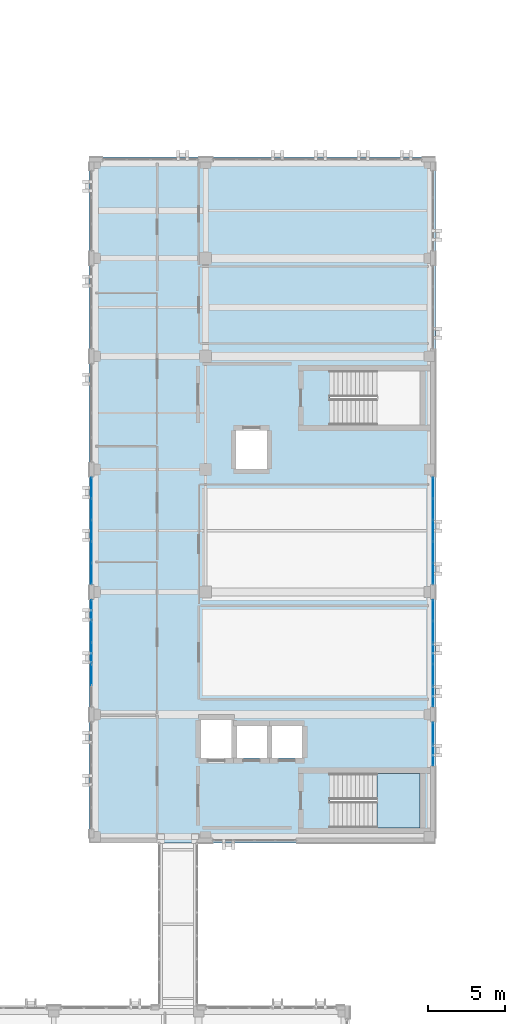
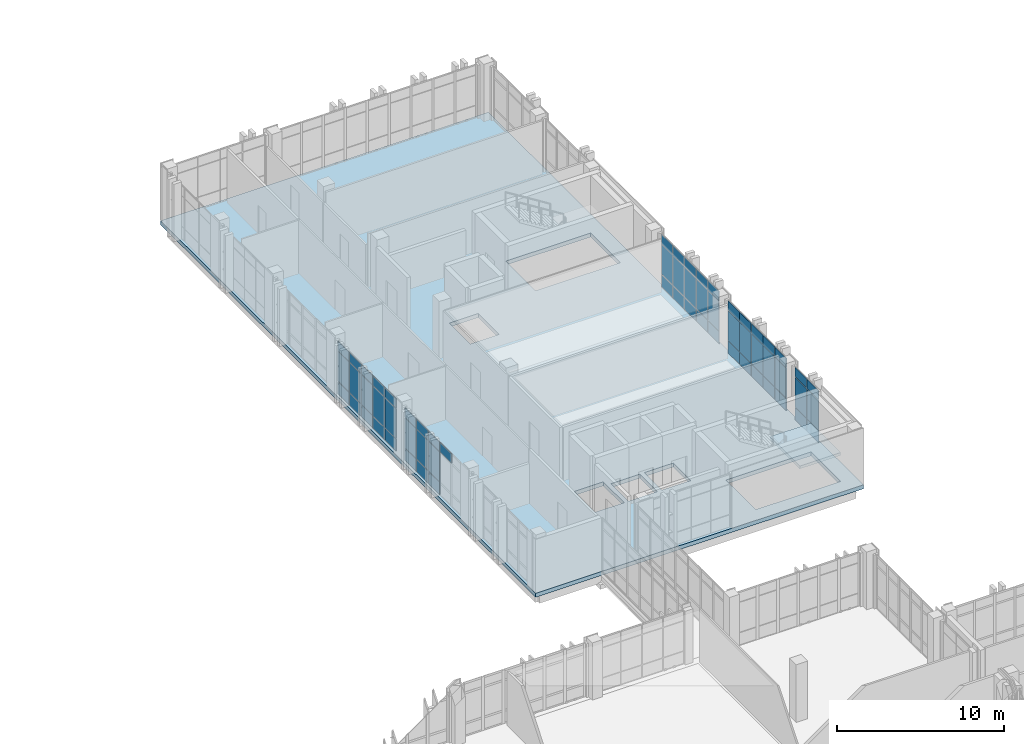
# One storey, part 141 of 193: 61 plates, 2 slabs, 6 elements without a shape of their own.
"""IFC4 building model written with IfcOpenShell, lengths in metres."""

from ifc_helpers import new_model, si_unit, direction, frame, origin, origin_2d, place, context, subcontext, project, spatial, polyline, rectangle, outline, extrude, material, layer, layer_set, type_object, element, aggregate, save


model = new_model("IFC4")

# Units and contexts
model_context = context("Model", 3, precision=1e-05, world=origin(), true_north=direction((0.0, 1.0)))
body_context = subcontext(model_context, "Body", "Model", "MODEL_VIEW")
ifc_project = project(units=[si_unit("LENGTHUNIT", "METRE"), si_unit("AREAUNIT", "SQUARE_METRE"), si_unit("VOLUMEUNIT", "CUBIC_METRE"), si_unit("PLANEANGLEUNIT", "RADIAN"), si_unit("MASSUNIT", "GRAM", prefix="KILO")], contexts=[model_context])

# Site, building, storey
site_placement = place(None, origin())
site = spatial("IfcSite", under=ifc_project, at=site_placement, CompositionType="ELEMENT")
building_placement = place(site_placement, origin())
building = spatial("IfcBuilding", under=site, at=building_placement, Name="Qalavern Law Courts", CompositionType="ELEMENT")
storey_placement = place(building_placement, frame((0.0, 0.0, 10.199951171875)))
storey = spatial("IfcBuildingStorey", under=building, at=storey_placement, Name="L02", CompositionType="ELEMENT", Elevation=10.199951171875)

# Curtain wall, plates
ifc_material_1 = material(Name="Anodised aluminium and insulated glazing", Category="aluminium")
ifc_layer_1 = layer(ifc_material_1, 0.172119140625)
ifc_layer_set_1 = layer_set([ifc_layer_1], Name="Anodised aluminium and insulated glazing")
curtain_wall_type = type_object("IfcCurtainWallType", Name="ENV-CW-COURT", PredefinedType="USERDEFINED", material=ifc_layer_set_1)
curtain_wall_1_placement = place(storey_placement, origin())
curtain_wall_1 = element("IfcCurtainWall", 1, at=curtain_wall_1_placement, inside=storey, type_object=curtain_wall_type, Name="V4 unitised curtain wall L02 east 3", ObjectType="UNITISED CURTAIN WALL", PredefinedType="USERDEFINED")
ifc_material_2 = material(Name="Insulated low-E acoustic glazing", Category="glass")
ifc_layer_2 = layer(ifc_material_2, 0.02392578125)
ifc_layer_set_2 = layer_set([ifc_layer_2], Name="Insulated low-E acoustic glazing")
plate_type_1 = type_object("IfcPlateType", Name="ENV-CWP-24", PredefinedType="CURTAIN_PANEL", material=ifc_layer_set_2)
plate_1_placement = place(storey_placement, frame((106.64501953125, 58.612060546875, 0.048095703125), z_axis=(0.0, 0.0, 1.0), x_axis=(0.0, 1.0, 0.0)))
plate_1 = element("IfcPlate", 2, at=plate_1_placement, type_object=plate_type_1, Name="CW-03 panel 1.1", PredefinedType="CURTAIN_PANEL", context=body_context, shape_type="SweptSolid", body=[
    extrude(rectangle(XDim=1.327880859375, YDim=0.02392578125, at=origin_2d()), origin(), (0.0, 0.0, 1.0), 0.8779296875),
])
plate_2_placement = place(storey_placement, frame((106.64501953125, 58.612060546875, 0.97412109375), z_axis=(0.0, 0.0, 1.0), x_axis=(0.0, 1.0, 0.0)))
plate_2 = element("IfcPlate", 3, at=plate_2_placement, type_object=plate_type_1, Name="CW-03 panel 1.2", PredefinedType="CURTAIN_PANEL", context=body_context, shape_type="SweptSolid", body=[
    extrude(rectangle(XDim=1.327880859375, YDim=0.02392578125, at=origin_2d()), origin(), (0.0, 0.0, 1.0), 2.1669921875),
])
plate_3_placement = place(storey_placement, frame((106.64501953125, 58.612060546875, 3.18896484375), z_axis=(0.0, 0.0, 1.0), x_axis=(0.0, 1.0, 0.0)))
plate_3 = element("IfcPlate", 4, at=plate_3_placement, type_object=plate_type_1, Name="CW-03 panel 1.3", PredefinedType="CURTAIN_PANEL", context=body_context, shape_type="SweptSolid", body=[
    extrude(rectangle(XDim=1.327880859375, YDim=0.02392578125, at=origin_2d()), origin(), (0.0, 0.0, 1.0), 0.677978515625),
])
plate_4_placement = place(storey_placement, frame((106.64501953125, 60.0, 0.048095703125), z_axis=(0.0, 0.0, 1.0), x_axis=(0.0, 1.0, 0.0)))
plate_4 = element("IfcPlate", 5, at=plate_4_placement, type_object=plate_type_1, Name="CW-03 panel 2.1", PredefinedType="CURTAIN_PANEL", context=body_context, shape_type="SweptSolid", body=[
    extrude(rectangle(XDim=1.35205078125, YDim=0.02392578125, at=origin_2d()), origin(), (0.0, 0.0, 1.0), 0.8779296875),
])
plate_5_placement = place(storey_placement, frame((106.64501953125, 60.0, 0.97412109375), z_axis=(0.0, 0.0, 1.0), x_axis=(0.0, 1.0, 0.0)))
plate_5 = element("IfcPlate", 6, at=plate_5_placement, type_object=plate_type_1, Name="CW-03 panel 2.2", PredefinedType="CURTAIN_PANEL", context=body_context, shape_type="SweptSolid", body=[
    extrude(rectangle(XDim=1.35205078125, YDim=0.02392578125, at=origin_2d()), origin(), (0.0, 0.0, 1.0), 2.1669921875),
])
plate_6_placement = place(storey_placement, frame((106.64501953125, 60.0, 3.18896484375), z_axis=(0.0, 0.0, 1.0), x_axis=(0.0, 1.0, 0.0)))
plate_6 = element("IfcPlate", 7, at=plate_6_placement, type_object=plate_type_1, Name="CW-03 panel 2.3", PredefinedType="CURTAIN_PANEL", context=body_context, shape_type="SweptSolid", body=[
    extrude(rectangle(XDim=1.35205078125, YDim=0.02392578125, at=origin_2d()), origin(), (0.0, 0.0, 1.0), 0.677978515625),
])
plate_7_placement = place(storey_placement, frame((106.64501953125, 61.39990234375, 0.048095703125), z_axis=(0.0, 0.0, 1.0), x_axis=(0.0, 1.0, 0.0)))
plate_7 = element("IfcPlate", 8, at=plate_7_placement, type_object=plate_type_1, Name="CW-03 panel 3.1", PredefinedType="CURTAIN_PANEL", context=body_context, shape_type="SweptSolid", body=[
    extrude(rectangle(XDim=1.35205078125, YDim=0.02392578125, at=origin_2d()), origin(), (0.0, 0.0, 1.0), 0.8779296875),
])
plate_8_placement = place(storey_placement, frame((106.64501953125, 61.39990234375, 0.97412109375), z_axis=(0.0, 0.0, 1.0), x_axis=(0.0, 1.0, 0.0)))
plate_8 = element("IfcPlate", 9, at=plate_8_placement, type_object=plate_type_1, Name="CW-03 panel 3.2", PredefinedType="CURTAIN_PANEL", context=body_context, shape_type="SweptSolid", body=[
    extrude(rectangle(XDim=1.35205078125, YDim=0.02392578125, at=origin_2d()), origin(), (0.0, 0.0, 1.0), 2.1669921875),
])
plate_9_placement = place(storey_placement, frame((106.64501953125, 61.39990234375, 3.18896484375), z_axis=(0.0, 0.0, 1.0), x_axis=(0.0, 1.0, 0.0)))
plate_9 = element("IfcPlate", 10, at=plate_9_placement, type_object=plate_type_1, Name="CW-03 panel 3.3", PredefinedType="CURTAIN_PANEL", context=body_context, shape_type="SweptSolid", body=[
    extrude(rectangle(XDim=1.35205078125, YDim=0.02392578125, at=origin_2d()), origin(), (0.0, 0.0, 1.0), 0.677978515625),
])
plate_10_placement = place(storey_placement, frame((106.64501953125, 62.800048828125, 0.048095703125), z_axis=(0.0, 0.0, 1.0), x_axis=(0.0, 1.0, 0.0)))
plate_10 = element("IfcPlate", 11, at=plate_10_placement, type_object=plate_type_1, Name="CW-03 panel 4.1", PredefinedType="CURTAIN_PANEL", context=body_context, shape_type="SweptSolid", body=[
    extrude(rectangle(XDim=1.35205078125, YDim=0.02392578125, at=origin_2d()), origin(), (0.0, 0.0, 1.0), 0.8779296875),
])
plate_11_placement = place(storey_placement, frame((106.64501953125, 62.800048828125, 0.97412109375), z_axis=(0.0, 0.0, 1.0), x_axis=(0.0, 1.0, 0.0)))
plate_11 = element("IfcPlate", 12, at=plate_11_placement, type_object=plate_type_1, Name="CW-03 panel 4.2", PredefinedType="CURTAIN_PANEL", context=body_context, shape_type="SweptSolid", body=[
    extrude(rectangle(XDim=1.35205078125, YDim=0.02392578125, at=origin_2d()), origin(), (0.0, 0.0, 1.0), 2.1669921875),
])
plate_12_placement = place(storey_placement, frame((106.64501953125, 62.800048828125, 3.18896484375), z_axis=(0.0, 0.0, 1.0), x_axis=(0.0, 1.0, 0.0)))
plate_12 = element("IfcPlate", 13, at=plate_12_placement, type_object=plate_type_1, Name="CW-03 panel 4.3", PredefinedType="CURTAIN_PANEL", context=body_context, shape_type="SweptSolid", body=[
    extrude(rectangle(XDim=1.35205078125, YDim=0.02392578125, at=origin_2d()), origin(), (0.0, 0.0, 1.0), 0.677978515625),
])
plate_13_placement = place(storey_placement, frame((106.64501953125, 64.18798828125, 0.048095703125), z_axis=(0.0, 0.0, 1.0), x_axis=(0.0, 1.0, 0.0)))
plate_13 = element("IfcPlate", 14, at=plate_13_placement, type_object=plate_type_1, Name="CW-03 panel 5.1", PredefinedType="CURTAIN_PANEL", context=body_context, shape_type="SweptSolid", body=[
    extrude(rectangle(XDim=1.327880859375, YDim=0.02392578125, at=origin_2d()), origin(), (0.0, 0.0, 1.0), 0.8779296875),
])
plate_14_placement = place(storey_placement, frame((106.64501953125, 64.18798828125, 0.97412109375), z_axis=(0.0, 0.0, 1.0), x_axis=(0.0, 1.0, 0.0)))
plate_14 = element("IfcPlate", 15, at=plate_14_placement, type_object=plate_type_1, Name="CW-03 panel 5.2", PredefinedType="CURTAIN_PANEL", context=body_context, shape_type="SweptSolid", body=[
    extrude(rectangle(XDim=1.327880859375, YDim=0.02392578125, at=origin_2d()), origin(), (0.0, 0.0, 1.0), 2.1669921875),
])
plate_15_placement = place(storey_placement, frame((106.64501953125, 64.18798828125, 3.18896484375), z_axis=(0.0, 0.0, 1.0), x_axis=(0.0, 1.0, 0.0)))
plate_15 = element("IfcPlate", 16, at=plate_15_placement, type_object=plate_type_1, Name="CW-03 panel 5.3", PredefinedType="CURTAIN_PANEL", context=body_context, shape_type="SweptSolid", body=[
    extrude(rectangle(XDim=1.327880859375, YDim=0.02392578125, at=origin_2d()), origin(), (0.0, 0.0, 1.0), 0.677978515625),
])
aggregate(curtain_wall_1, [plate_1, plate_2, plate_3, plate_4, plate_5, plate_6, plate_7, plate_8, plate_9, plate_10, plate_11, plate_12, plate_13, plate_14, plate_15])

curtain_wall_2_placement = place(storey_placement, origin())
curtain_wall_2 = element("IfcCurtainWall", 17, at=curtain_wall_2_placement, inside=storey, type_object=curtain_wall_type, Name="V4 unitised curtain wall L02 west 4", ObjectType="UNITISED CURTAIN WALL", PredefinedType="USERDEFINED")
ifc_layer_3 = layer(ifc_material_2, 0.028076171875)
ifc_layer_set_3 = layer_set([ifc_layer_3], Name="Insulated low-E acoustic glazing")
plate_type_2 = type_object("IfcPlateType", Name="ENV-CWP-28", PredefinedType="CURTAIN_PANEL", material=ifc_layer_set_3)
plate_16_placement = place(storey_placement, frame((84.35498046875, 64.18798828125, 0.048095703125), z_axis=(0.0, 0.0, 1.0), x_axis=(0.0, -1.0, 0.0)))
plate_16 = element("IfcPlate", 18, at=plate_16_placement, type_object=plate_type_2, Name="CW-03 panel 1.1", PredefinedType="CURTAIN_PANEL", context=body_context, shape_type="SweptSolid", body=[
    extrude(rectangle(XDim=1.327880859375, YDim=0.028076171875, at=origin_2d()), origin(), (0.0, 0.0, 1.0), 0.8779296875),
])
plate_17_placement = place(storey_placement, frame((84.35498046875, 64.18798828125, 0.97412109375), z_axis=(0.0, 0.0, 1.0), x_axis=(0.0, -1.0, 0.0)))
plate_17 = element("IfcPlate", 19, at=plate_17_placement, type_object=plate_type_2, Name="CW-03 panel 1.2", PredefinedType="CURTAIN_PANEL", context=body_context, shape_type="SweptSolid", body=[
    extrude(rectangle(XDim=1.327880859375, YDim=0.028076171875, at=origin_2d()), origin(), (0.0, 0.0, 1.0), 2.1669921875),
])
plate_18_placement = place(storey_placement, frame((84.35498046875, 64.18798828125, 3.18896484375), z_axis=(0.0, 0.0, 1.0), x_axis=(0.0, -1.0, 0.0)))
plate_18 = element("IfcPlate", 20, at=plate_18_placement, type_object=plate_type_2, Name="CW-03 panel 1.3", PredefinedType="CURTAIN_PANEL", context=body_context, shape_type="SweptSolid", body=[
    extrude(rectangle(XDim=1.327880859375, YDim=0.028076171875, at=origin_2d()), origin(), (0.0, 0.0, 1.0), 0.677978515625),
])
plate_19_placement = place(storey_placement, frame((84.35498046875, 62.800048828125, 0.048095703125), z_axis=(0.0, 0.0, 1.0), x_axis=(0.0, -1.0, 0.0)))
plate_19 = element("IfcPlate", 21, at=plate_19_placement, type_object=plate_type_2, Name="CW-03 panel 2.1", PredefinedType="CURTAIN_PANEL", context=body_context, shape_type="SweptSolid", body=[
    extrude(rectangle(XDim=1.35205078125, YDim=0.028076171875, at=origin_2d()), origin(), (0.0, 0.0, 1.0), 0.8779296875),
])
plate_20_placement = place(storey_placement, frame((84.35498046875, 62.800048828125, 0.97412109375), z_axis=(0.0, 0.0, 1.0), x_axis=(0.0, -1.0, 0.0)))
plate_20 = element("IfcPlate", 22, at=plate_20_placement, type_object=plate_type_2, Name="CW-03 panel 2.2", PredefinedType="CURTAIN_PANEL", context=body_context, shape_type="SweptSolid", body=[
    extrude(rectangle(XDim=1.35205078125, YDim=0.028076171875, at=origin_2d()), origin(), (0.0, 0.0, 1.0), 2.1669921875),
])
plate_21_placement = place(storey_placement, frame((84.35498046875, 62.800048828125, 3.18896484375), z_axis=(0.0, 0.0, 1.0), x_axis=(0.0, -1.0, 0.0)))
plate_21 = element("IfcPlate", 23, at=plate_21_placement, type_object=plate_type_2, Name="CW-03 panel 2.3", PredefinedType="CURTAIN_PANEL", context=body_context, shape_type="SweptSolid", body=[
    extrude(rectangle(XDim=1.35205078125, YDim=0.028076171875, at=origin_2d()), origin(), (0.0, 0.0, 1.0), 0.677978515625),
])
plate_22_placement = place(storey_placement, frame((84.35498046875, 61.39990234375, 0.048095703125), z_axis=(0.0, 0.0, 1.0), x_axis=(0.0, -1.0, 0.0)))
plate_22 = element("IfcPlate", 24, at=plate_22_placement, type_object=plate_type_2, Name="CW-03 panel 3.1", PredefinedType="CURTAIN_PANEL", context=body_context, shape_type="SweptSolid", body=[
    extrude(rectangle(XDim=1.35205078125, YDim=0.028076171875, at=origin_2d()), origin(), (0.0, 0.0, 1.0), 0.8779296875),
])
plate_23_placement = place(storey_placement, frame((84.35498046875, 61.39990234375, 0.97412109375), z_axis=(0.0, 0.0, 1.0), x_axis=(0.0, -1.0, 0.0)))
plate_23 = element("IfcPlate", 25, at=plate_23_placement, type_object=plate_type_2, Name="CW-03 panel 3.2", PredefinedType="CURTAIN_PANEL", context=body_context, shape_type="SweptSolid", body=[
    extrude(rectangle(XDim=1.35205078125, YDim=0.028076171875, at=origin_2d()), origin(), (0.0, 0.0, 1.0), 2.1669921875),
])
plate_24_placement = place(storey_placement, frame((84.35498046875, 61.39990234375, 3.18896484375), z_axis=(0.0, 0.0, 1.0), x_axis=(0.0, -1.0, 0.0)))
plate_24 = element("IfcPlate", 26, at=plate_24_placement, type_object=plate_type_2, Name="CW-03 panel 3.3", PredefinedType="CURTAIN_PANEL", context=body_context, shape_type="SweptSolid", body=[
    extrude(rectangle(XDim=1.35205078125, YDim=0.028076171875, at=origin_2d()), origin(), (0.0, 0.0, 1.0), 0.677978515625),
])
plate_25_placement = place(storey_placement, frame((84.35498046875, 60.0, 0.048095703125), z_axis=(0.0, 0.0, 1.0), x_axis=(0.0, -1.0, 0.0)))
plate_25 = element("IfcPlate", 27, at=plate_25_placement, type_object=plate_type_2, Name="CW-03 panel 4.1", PredefinedType="CURTAIN_PANEL", context=body_context, shape_type="SweptSolid", body=[
    extrude(rectangle(XDim=1.35205078125, YDim=0.028076171875, at=origin_2d()), origin(), (0.0, 0.0, 1.0), 0.8779296875),
])
plate_26_placement = place(storey_placement, frame((84.35498046875, 60.0, 0.97412109375), z_axis=(0.0, 0.0, 1.0), x_axis=(0.0, -1.0, 0.0)))
plate_26 = element("IfcPlate", 28, at=plate_26_placement, type_object=plate_type_2, Name="CW-03 panel 4.2", PredefinedType="CURTAIN_PANEL", context=body_context, shape_type="SweptSolid", body=[
    extrude(rectangle(XDim=1.35205078125, YDim=0.028076171875, at=origin_2d()), origin(), (0.0, 0.0, 1.0), 2.1669921875),
])
plate_27_placement = place(storey_placement, frame((84.35498046875, 60.0, 3.18896484375), z_axis=(0.0, 0.0, 1.0), x_axis=(0.0, -1.0, 0.0)))
plate_27 = element("IfcPlate", 29, at=plate_27_placement, type_object=plate_type_2, Name="CW-03 panel 4.3", PredefinedType="CURTAIN_PANEL", context=body_context, shape_type="SweptSolid", body=[
    extrude(rectangle(XDim=1.35205078125, YDim=0.028076171875, at=origin_2d()), origin(), (0.0, 0.0, 1.0), 0.677978515625),
])
plate_28_placement = place(storey_placement, frame((84.35498046875, 58.612060546875, 0.048095703125), z_axis=(0.0, 0.0, 1.0), x_axis=(0.0, -1.0, 0.0)))
plate_28 = element("IfcPlate", 30, at=plate_28_placement, type_object=plate_type_2, Name="CW-03 panel 5.1", PredefinedType="CURTAIN_PANEL", context=body_context, shape_type="SweptSolid", body=[
    extrude(rectangle(XDim=1.327880859375, YDim=0.028076171875, at=origin_2d()), origin(), (0.0, 0.0, 1.0), 0.8779296875),
])
plate_29_placement = place(storey_placement, frame((84.35498046875, 58.612060546875, 0.97412109375), z_axis=(0.0, 0.0, 1.0), x_axis=(0.0, -1.0, 0.0)))
plate_29 = element("IfcPlate", 31, at=plate_29_placement, type_object=plate_type_2, Name="CW-03 panel 5.2", PredefinedType="CURTAIN_PANEL", context=body_context, shape_type="SweptSolid", body=[
    extrude(rectangle(XDim=1.327880859375, YDim=0.028076171875, at=origin_2d()), origin(), (0.0, 0.0, 1.0), 2.1669921875),
])
plate_30_placement = place(storey_placement, frame((84.35498046875, 58.612060546875, 3.18896484375), z_axis=(0.0, 0.0, 1.0), x_axis=(0.0, -1.0, 0.0)))
plate_30 = element("IfcPlate", 32, at=plate_30_placement, type_object=plate_type_2, Name="CW-03 panel 5.3", PredefinedType="CURTAIN_PANEL", context=body_context, shape_type="SweptSolid", body=[
    extrude(rectangle(XDim=1.327880859375, YDim=0.028076171875, at=origin_2d()), origin(), (0.0, 0.0, 1.0), 0.677978515625),
])
aggregate(curtain_wall_2, [plate_16, plate_17, plate_18, plate_19, plate_20, plate_21, plate_22, plate_23, plate_24, plate_25, plate_26, plate_27, plate_28, plate_29, plate_30])

curtain_wall_3_placement = place(storey_placement, origin())
curtain_wall_3 = element("IfcCurtainWall", 33, at=curtain_wall_3_placement, inside=storey, type_object=curtain_wall_type, Name="V4 unitised curtain wall L02 west 5", ObjectType="UNITISED CURTAIN WALL", PredefinedType="USERDEFINED")
ifc_layer_4 = layer(ifc_material_2, 0.031982421875)
ifc_layer_set_4 = layer_set([ifc_layer_4], Name="Insulated low-E acoustic glazing")
plate_type_3 = type_object("IfcPlateType", Name="ENV-CWP-32", PredefinedType="CURTAIN_PANEL", material=ifc_layer_set_4)
plate_31_placement = place(storey_placement, frame((84.35498046875, 56.18798828125, 0.048095703125), z_axis=(0.0, 0.0, 1.0), x_axis=(0.0, -1.0, 0.0)))
plate_31 = element("IfcPlate", 34, at=plate_31_placement, type_object=plate_type_3, Name="CW-03 panel 1.1", PredefinedType="CURTAIN_PANEL", context=body_context, shape_type="SweptSolid", body=[
    extrude(rectangle(XDim=1.327880859375, YDim=0.031982421875, at=origin_2d()), origin(), (0.0, 0.0, 1.0), 0.8779296875),
])
plate_32_placement = place(storey_placement, frame((84.35498046875, 56.18798828125, 0.97412109375), z_axis=(0.0, 0.0, 1.0), x_axis=(0.0, -1.0, 0.0)))
plate_32 = element("IfcPlate", 35, at=plate_32_placement, type_object=plate_type_3, Name="CW-03 panel 1.2", PredefinedType="CURTAIN_PANEL", context=body_context, shape_type="SweptSolid", body=[
    extrude(rectangle(XDim=1.327880859375, YDim=0.031982421875, at=origin_2d()), origin(), (0.0, 0.0, 1.0), 2.1669921875),
])
plate_33_placement = place(storey_placement, frame((84.35498046875, 56.18798828125, 3.18896484375), z_axis=(0.0, 0.0, 1.0), x_axis=(0.0, -1.0, 0.0)))
plate_33 = element("IfcPlate", 36, at=plate_33_placement, type_object=plate_type_3, Name="CW-03 panel 1.3", PredefinedType="CURTAIN_PANEL", context=body_context, shape_type="SweptSolid", body=[
    extrude(rectangle(XDim=1.327880859375, YDim=0.031982421875, at=origin_2d()), origin(), (0.0, 0.0, 1.0), 0.677978515625),
])
plate_34_placement = place(storey_placement, frame((84.35498046875, 54.800048828125, 0.048095703125), z_axis=(0.0, 0.0, 1.0), x_axis=(0.0, -1.0, 0.0)))
plate_34 = element("IfcPlate", 37, at=plate_34_placement, type_object=plate_type_3, Name="CW-03 panel 2.1", PredefinedType="CURTAIN_PANEL", context=body_context, shape_type="SweptSolid", body=[
    extrude(rectangle(XDim=1.35205078125, YDim=0.031982421875, at=origin_2d()), origin(), (0.0, 0.0, 1.0), 0.8779296875),
])
plate_35_placement = place(storey_placement, frame((84.35498046875, 54.800048828125, 0.97412109375), z_axis=(0.0, 0.0, 1.0), x_axis=(0.0, -1.0, 0.0)))
plate_35 = element("IfcPlate", 38, at=plate_35_placement, type_object=plate_type_3, Name="CW-03 panel 2.2", PredefinedType="CURTAIN_PANEL", context=body_context, shape_type="SweptSolid", body=[
    extrude(rectangle(XDim=1.35205078125, YDim=0.031982421875, at=origin_2d()), origin(), (0.0, 0.0, 1.0), 2.1669921875),
])
plate_36_placement = place(storey_placement, frame((84.35498046875, 54.800048828125, 3.18896484375), z_axis=(0.0, 0.0, 1.0), x_axis=(0.0, -1.0, 0.0)))
plate_36 = element("IfcPlate", 39, at=plate_36_placement, type_object=plate_type_3, Name="CW-03 panel 2.3", PredefinedType="CURTAIN_PANEL", context=body_context, shape_type="SweptSolid", body=[
    extrude(rectangle(XDim=1.35205078125, YDim=0.031982421875, at=origin_2d()), origin(), (0.0, 0.0, 1.0), 0.677978515625),
])
plate_37_placement = place(storey_placement, frame((84.35498046875, 53.39990234375, 0.048095703125), z_axis=(0.0, 0.0, 1.0), x_axis=(0.0, -1.0, 0.0)))
plate_37 = element("IfcPlate", 40, at=plate_37_placement, type_object=plate_type_3, Name="CW-03 panel 3.1", PredefinedType="CURTAIN_PANEL", context=body_context, shape_type="SweptSolid", body=[
    extrude(rectangle(XDim=1.35205078125, YDim=0.031982421875, at=origin_2d()), origin(), (0.0, 0.0, 1.0), 0.8779296875),
])
plate_38_placement = place(storey_placement, frame((84.35498046875, 53.39990234375, 0.97412109375), z_axis=(0.0, 0.0, 1.0), x_axis=(0.0, -1.0, 0.0)))
plate_38 = element("IfcPlate", 41, at=plate_38_placement, type_object=plate_type_3, Name="CW-03 panel 3.2", PredefinedType="CURTAIN_PANEL", context=body_context, shape_type="SweptSolid", body=[
    extrude(rectangle(XDim=1.35205078125, YDim=0.031982421875, at=origin_2d()), origin(), (0.0, 0.0, 1.0), 2.1669921875),
])
plate_39_placement = place(storey_placement, frame((84.35498046875, 53.39990234375, 3.18896484375), z_axis=(0.0, 0.0, 1.0), x_axis=(0.0, -1.0, 0.0)))
plate_39 = element("IfcPlate", 42, at=plate_39_placement, type_object=plate_type_3, Name="CW-03 panel 3.3", PredefinedType="CURTAIN_PANEL", context=body_context, shape_type="SweptSolid", body=[
    extrude(rectangle(XDim=1.35205078125, YDim=0.031982421875, at=origin_2d()), origin(), (0.0, 0.0, 1.0), 0.677978515625),
])
plate_40_placement = place(storey_placement, frame((84.35498046875, 52.0, 3.18896484375), z_axis=(0.0, 0.0, 1.0), x_axis=(0.0, -1.0, 0.0)))
plate_40 = element("IfcPlate", 43, at=plate_40_placement, type_object=plate_type_3, Name="CW-03 panel 4.3", PredefinedType="CURTAIN_PANEL", context=body_context, shape_type="SweptSolid", body=[
    extrude(rectangle(XDim=1.35205078125, YDim=0.031982421875, at=origin_2d()), origin(), (0.0, 0.0, 1.0), 0.677978515625),
])
aggregate(curtain_wall_3, [plate_31, plate_32, plate_33, plate_34, plate_35, plate_36, plate_37, plate_38, plate_39, plate_40])

curtain_wall_4_placement = place(storey_placement, origin())
curtain_wall_4 = element("IfcCurtainWall", 44, at=curtain_wall_4_placement, inside=storey, type_object=curtain_wall_type, Name="V4 unitised curtain wall L02 east 1", ObjectType="UNITISED CURTAIN WALL", PredefinedType="USERDEFINED")
ifc_layer_5 = layer(ifc_material_2, 0.048095703125)
ifc_layer_set_5 = layer_set([ifc_layer_5], Name="Insulated low-E acoustic glazing")
plate_type_4 = type_object("IfcPlateType", Name="ENV-CWP-48", PredefinedType="CURTAIN_PANEL", material=ifc_layer_set_5)
plate_41_placement = place(storey_placement, frame((106.64501953125, 46.7744140625, 0.048095703125), z_axis=(0.0, 0.0, 1.0), x_axis=(0.0, 1.0, 0.0)))
plate_41 = element("IfcPlate", 45, at=plate_41_placement, type_object=plate_type_4, Name="CW-03 panel 1.1", PredefinedType="CURTAIN_PANEL", context=body_context, shape_type="SweptSolid", body=[
    extrude(rectangle(XDim=1.35302734375, YDim=0.048095703125, at=origin_2d()), origin(), (0.0, 0.0, 1.0), 0.8779296875),
])
plate_42_placement = place(storey_placement, frame((106.64501953125, 46.7744140625, 0.97412109375), z_axis=(0.0, 0.0, 1.0), x_axis=(0.0, 1.0, 0.0)))
plate_42 = element("IfcPlate", 46, at=plate_42_placement, type_object=plate_type_4, Name="CW-03 panel 1.2", PredefinedType="CURTAIN_PANEL", context=body_context, shape_type="SweptSolid", body=[
    extrude(rectangle(XDim=1.35302734375, YDim=0.048095703125, at=origin_2d()), origin(), (0.0, 0.0, 1.0), 2.1669921875),
])
plate_43_placement = place(storey_placement, frame((106.64501953125, 46.7744140625, 3.18896484375), z_axis=(0.0, 0.0, 1.0), x_axis=(0.0, 1.0, 0.0)))
plate_43 = element("IfcPlate", 47, at=plate_43_placement, type_object=plate_type_4, Name="CW-03 panel 1.3", PredefinedType="CURTAIN_PANEL", context=body_context, shape_type="SweptSolid", body=[
    extrude(rectangle(XDim=1.35302734375, YDim=0.048095703125, at=origin_2d()), origin(), (0.0, 0.0, 1.0), 0.677978515625),
])
plate_44_placement = place(storey_placement, frame((106.64501953125, 48.175537109375, 0.048095703125), z_axis=(0.0, 0.0, 1.0), x_axis=(0.0, 1.0, 0.0)))
plate_44 = element("IfcPlate", 48, at=plate_44_placement, type_object=plate_type_4, Name="CW-03 panel 2.1", PredefinedType="CURTAIN_PANEL", context=body_context, shape_type="SweptSolid", body=[
    extrude(rectangle(XDim=1.35302734375, YDim=0.048095703125, at=origin_2d()), origin(), (0.0, 0.0, 1.0), 0.8779296875),
])
plate_45_placement = place(storey_placement, frame((106.64501953125, 48.175537109375, 0.97412109375), z_axis=(0.0, 0.0, 1.0), x_axis=(0.0, 1.0, 0.0)))
plate_45 = element("IfcPlate", 49, at=plate_45_placement, type_object=plate_type_4, Name="CW-03 panel 2.2", PredefinedType="CURTAIN_PANEL", context=body_context, shape_type="SweptSolid", body=[
    extrude(rectangle(XDim=1.35302734375, YDim=0.048095703125, at=origin_2d()), origin(), (0.0, 0.0, 1.0), 2.1669921875),
])
plate_46_placement = place(storey_placement, frame((106.64501953125, 48.175537109375, 3.18896484375), z_axis=(0.0, 0.0, 1.0), x_axis=(0.0, 1.0, 0.0)))
plate_46 = element("IfcPlate", 50, at=plate_46_placement, type_object=plate_type_4, Name="CW-03 panel 2.3", PredefinedType="CURTAIN_PANEL", context=body_context, shape_type="SweptSolid", body=[
    extrude(rectangle(XDim=1.35302734375, YDim=0.048095703125, at=origin_2d()), origin(), (0.0, 0.0, 1.0), 0.677978515625),
])
aggregate(curtain_wall_4, [plate_41, plate_42, plate_43, plate_44, plate_45, plate_46])

curtain_wall_5_placement = place(storey_placement, origin())
curtain_wall_5 = element("IfcCurtainWall", 51, at=curtain_wall_5_placement, inside=storey, type_object=curtain_wall_type, Name="V4 unitised curtain wall L02 east 2", ObjectType="UNITISED CURTAIN WALL", PredefinedType="USERDEFINED")
ifc_layer_6 = layer(ifc_material_2, 0.052001953125)
ifc_layer_set_6 = layer_set([ifc_layer_6], Name="Insulated low-E acoustic glazing")
plate_type_5 = type_object("IfcPlateType", Name="ENV-CWP-52", PredefinedType="CURTAIN_PANEL", material=ifc_layer_set_6)
plate_47_placement = place(storey_placement, frame((106.64501953125, 50.612060546875, 0.048095703125), z_axis=(0.0, 0.0, 1.0), x_axis=(0.0, 1.0, 0.0)))
plate_47 = element("IfcPlate", 52, at=plate_47_placement, type_object=plate_type_5, Name="CW-03 panel 1.1", PredefinedType="CURTAIN_PANEL", context=body_context, shape_type="SweptSolid", body=[
    extrude(rectangle(XDim=1.327880859375, YDim=0.052001953125, at=origin_2d()), origin(), (0.0, 0.0, 1.0), 0.8779296875),
])
plate_48_placement = place(storey_placement, frame((106.64501953125, 50.612060546875, 0.97412109375), z_axis=(0.0, 0.0, 1.0), x_axis=(0.0, 1.0, 0.0)))
plate_48 = element("IfcPlate", 53, at=plate_48_placement, type_object=plate_type_5, Name="CW-03 panel 1.2", PredefinedType="CURTAIN_PANEL", context=body_context, shape_type="SweptSolid", body=[
    extrude(rectangle(XDim=1.327880859375, YDim=0.052001953125, at=origin_2d()), origin(), (0.0, 0.0, 1.0), 2.1669921875),
])
plate_49_placement = place(storey_placement, frame((106.64501953125, 50.612060546875, 3.18896484375), z_axis=(0.0, 0.0, 1.0), x_axis=(0.0, 1.0, 0.0)))
plate_49 = element("IfcPlate", 54, at=plate_49_placement, type_object=plate_type_5, Name="CW-03 panel 1.3", PredefinedType="CURTAIN_PANEL", context=body_context, shape_type="SweptSolid", body=[
    extrude(rectangle(XDim=1.327880859375, YDim=0.052001953125, at=origin_2d()), origin(), (0.0, 0.0, 1.0), 0.677978515625),
])
plate_50_placement = place(storey_placement, frame((106.64501953125, 52.0, 0.048095703125), z_axis=(0.0, 0.0, 1.0), x_axis=(0.0, 1.0, 0.0)))
plate_50 = element("IfcPlate", 55, at=plate_50_placement, type_object=plate_type_5, Name="CW-03 panel 2.1", PredefinedType="CURTAIN_PANEL", context=body_context, shape_type="SweptSolid", body=[
    extrude(rectangle(XDim=1.35205078125, YDim=0.052001953125, at=origin_2d()), origin(), (0.0, 0.0, 1.0), 0.8779296875),
])
plate_51_placement = place(storey_placement, frame((106.64501953125, 52.0, 0.97412109375), z_axis=(0.0, 0.0, 1.0), x_axis=(0.0, 1.0, 0.0)))
plate_51 = element("IfcPlate", 56, at=plate_51_placement, type_object=plate_type_5, Name="CW-03 panel 2.2", PredefinedType="CURTAIN_PANEL", context=body_context, shape_type="SweptSolid", body=[
    extrude(rectangle(XDim=1.35205078125, YDim=0.052001953125, at=origin_2d()), origin(), (0.0, 0.0, 1.0), 2.1669921875),
])
plate_52_placement = place(storey_placement, frame((106.64501953125, 52.0, 3.18896484375), z_axis=(0.0, 0.0, 1.0), x_axis=(0.0, 1.0, 0.0)))
plate_52 = element("IfcPlate", 57, at=plate_52_placement, type_object=plate_type_5, Name="CW-03 panel 2.3", PredefinedType="CURTAIN_PANEL", context=body_context, shape_type="SweptSolid", body=[
    extrude(rectangle(XDim=1.35205078125, YDim=0.052001953125, at=origin_2d()), origin(), (0.0, 0.0, 1.0), 0.677978515625),
])
plate_53_placement = place(storey_placement, frame((106.64501953125, 53.39990234375, 0.048095703125), z_axis=(0.0, 0.0, 1.0), x_axis=(0.0, 1.0, 0.0)))
plate_53 = element("IfcPlate", 58, at=plate_53_placement, type_object=plate_type_5, Name="CW-03 panel 3.1", PredefinedType="CURTAIN_PANEL", context=body_context, shape_type="SweptSolid", body=[
    extrude(rectangle(XDim=1.35205078125, YDim=0.052001953125, at=origin_2d()), origin(), (0.0, 0.0, 1.0), 0.8779296875),
])
plate_54_placement = place(storey_placement, frame((106.64501953125, 53.39990234375, 0.97412109375), z_axis=(0.0, 0.0, 1.0), x_axis=(0.0, 1.0, 0.0)))
plate_54 = element("IfcPlate", 59, at=plate_54_placement, type_object=plate_type_5, Name="CW-03 panel 3.2", PredefinedType="CURTAIN_PANEL", context=body_context, shape_type="SweptSolid", body=[
    extrude(rectangle(XDim=1.35205078125, YDim=0.052001953125, at=origin_2d()), origin(), (0.0, 0.0, 1.0), 2.1669921875),
])
plate_55_placement = place(storey_placement, frame((106.64501953125, 53.39990234375, 3.18896484375), z_axis=(0.0, 0.0, 1.0), x_axis=(0.0, 1.0, 0.0)))
plate_55 = element("IfcPlate", 60, at=plate_55_placement, type_object=plate_type_5, Name="CW-03 panel 3.3", PredefinedType="CURTAIN_PANEL", context=body_context, shape_type="SweptSolid", body=[
    extrude(rectangle(XDim=1.35205078125, YDim=0.052001953125, at=origin_2d()), origin(), (0.0, 0.0, 1.0), 0.677978515625),
])
plate_56_placement = place(storey_placement, frame((106.64501953125, 54.800048828125, 0.048095703125), z_axis=(0.0, 0.0, 1.0), x_axis=(0.0, 1.0, 0.0)))
plate_56 = element("IfcPlate", 61, at=plate_56_placement, type_object=plate_type_5, Name="CW-03 panel 4.1", PredefinedType="CURTAIN_PANEL", context=body_context, shape_type="SweptSolid", body=[
    extrude(rectangle(XDim=1.35205078125, YDim=0.052001953125, at=origin_2d()), origin(), (0.0, 0.0, 1.0), 0.8779296875),
])
plate_57_placement = place(storey_placement, frame((106.64501953125, 54.800048828125, 0.97412109375), z_axis=(0.0, 0.0, 1.0), x_axis=(0.0, 1.0, 0.0)))
plate_57 = element("IfcPlate", 62, at=plate_57_placement, type_object=plate_type_5, Name="CW-03 panel 4.2", PredefinedType="CURTAIN_PANEL", context=body_context, shape_type="SweptSolid", body=[
    extrude(rectangle(XDim=1.35205078125, YDim=0.052001953125, at=origin_2d()), origin(), (0.0, 0.0, 1.0), 2.1669921875),
])
plate_58_placement = place(storey_placement, frame((106.64501953125, 54.800048828125, 3.18896484375), z_axis=(0.0, 0.0, 1.0), x_axis=(0.0, 1.0, 0.0)))
plate_58 = element("IfcPlate", 63, at=plate_58_placement, type_object=plate_type_5, Name="CW-03 panel 4.3", PredefinedType="CURTAIN_PANEL", context=body_context, shape_type="SweptSolid", body=[
    extrude(rectangle(XDim=1.35205078125, YDim=0.052001953125, at=origin_2d()), origin(), (0.0, 0.0, 1.0), 0.677978515625),
])
plate_59_placement = place(storey_placement, frame((106.64501953125, 56.18798828125, 0.048095703125), z_axis=(0.0, 0.0, 1.0), x_axis=(0.0, 1.0, 0.0)))
plate_59 = element("IfcPlate", 64, at=plate_59_placement, type_object=plate_type_5, Name="CW-03 panel 5.1", PredefinedType="CURTAIN_PANEL", context=body_context, shape_type="SweptSolid", body=[
    extrude(rectangle(XDim=1.327880859375, YDim=0.052001953125, at=origin_2d()), origin(), (0.0, 0.0, 1.0), 0.8779296875),
])
plate_60_placement = place(storey_placement, frame((106.64501953125, 56.18798828125, 0.97412109375), z_axis=(0.0, 0.0, 1.0), x_axis=(0.0, 1.0, 0.0)))
plate_60 = element("IfcPlate", 65, at=plate_60_placement, type_object=plate_type_5, Name="CW-03 panel 5.2", PredefinedType="CURTAIN_PANEL", context=body_context, shape_type="SweptSolid", body=[
    extrude(rectangle(XDim=1.327880859375, YDim=0.052001953125, at=origin_2d()), origin(), (0.0, 0.0, 1.0), 2.1669921875),
])
plate_61_placement = place(storey_placement, frame((106.64501953125, 56.18798828125, 3.18896484375), z_axis=(0.0, 0.0, 1.0), x_axis=(0.0, 1.0, 0.0)))
plate_61 = element("IfcPlate", 66, at=plate_61_placement, type_object=plate_type_5, Name="CW-03 panel 5.3", PredefinedType="CURTAIN_PANEL", context=body_context, shape_type="SweptSolid", body=[
    extrude(rectangle(XDim=1.327880859375, YDim=0.052001953125, at=origin_2d()), origin(), (0.0, 0.0, 1.0), 0.677978515625),
])
aggregate(curtain_wall_5, [plate_47, plate_48, plate_49, plate_50, plate_51, plate_52, plate_53, plate_54, plate_55, plate_56, plate_57, plate_58, plate_59, plate_60, plate_61])

# Stair, slab
ifc_material_3 = material(Name="Concrete C35/45", Category="concrete")
stair_type = type_object("IfcStairType", Name="INT-STAIR-1700", PredefinedType="HALF_TURN_STAIR", material=ifc_material_3)
stair_placement = place(storey_placement, origin())
stair = element("IfcStair", 67, at=stair_placement, inside=storey, type_object=stair_type, Name="L02 ST-K1A", PredefinedType="HALF_TURN_STAIR")
ifc_layer_7 = layer(ifc_material_3, 0.199951171875)
ifc_layer_set_7 = layer_set([ifc_layer_7], Name="Concrete C35/45")
slab_type_1 = type_object("IfcSlabType", Name="INT-LANDING-200", PredefinedType="LANDING", material=ifc_layer_set_7)
slab_1_placement = place(storey_placement, frame((0.0, 0.0, 1.900146484375)))
slab_1 = element("IfcSlab", 68, at=slab_1_placement, type_object=slab_type_1, Name="ST-K1A landing 1", PredefinedType="LANDING", context=body_context, shape_type="SweptSolid", body=[
    extrude(outline(polyline([(102.97998046875, 42.0), (105.800048828125, 42.0), (105.800048828125, 45.550048828125), (102.97998046875, 45.550048828125), (102.97998046875, 42.0)])), origin(), (0.0, 0.0, 1.0), 0.199951171875),
])
aggregate(stair, [slab_1])

# Slab
ifc_material_4 = material(Name="Concrete C40/50", Category="concrete")
ifc_layer_8 = layer(ifc_material_4, 0.2900390625)
ifc_layer_set_8 = layer_set([ifc_layer_8], Name="Concrete C40/50")
slab_type_2 = type_object("IfcSlabType", Name="STR-SLB-L02-290", PredefinedType="FLOOR", material=ifc_layer_set_8)
slab_2_placement = place(storey_placement, frame((0.0, 0.0, -0.2900390625)))
element("IfcSlab", 69, at=slab_2_placement, inside=storey, type_object=slab_type_2, Name="V4 floor slab L02", PredefinedType="FLOOR", context=body_context, shape_type="SweptSolid", body=[
    extrude(outline(polyline([(84.199951171875, 41.02001953125), (106.800048828125, 41.02001953125), (106.800048828125, 85.800048828125), (84.199951171875, 85.800048828125), (84.199951171875, 41.02001953125)]), holes=[polyline([(99.93994140625, 42.0), (105.800048828125, 42.0), (105.800048828125, 45.550048828125), (99.93994140625, 45.550048828125), (99.93994140625, 42.0)]), polyline([(91.5, 46.550048828125), (93.5, 46.550048828125), (93.5, 49.050048828125), (91.5, 49.050048828125), (91.5, 46.550048828125)]), polyline([(93.800048828125, 46.550048828125), (95.800048828125, 46.550048828125), (95.800048828125, 48.64990234375), (93.800048828125, 48.64990234375), (93.800048828125, 46.550048828125)]), polyline([(96.10009765625, 46.550048828125), (98.10009765625, 46.550048828125), (98.10009765625, 48.64990234375), (96.10009765625, 48.64990234375), (96.10009765625, 46.550048828125)]), polyline([(99.93994140625, 68.300048828125), (105.800048828125, 68.300048828125), (105.800048828125, 71.85009765625), (99.93994140625, 71.85009765625), (99.93994140625, 68.300048828125)]), polyline([(93.800048828125, 65.449951171875), (95.800048828125, 65.449951171875), (95.800048828125, 67.949951171875), (93.800048828125, 67.949951171875), (93.800048828125, 65.449951171875)])]), origin(), (0.0, 0.0, 1.0), 0.2900390625),
])

save(model, "model.ifc")
